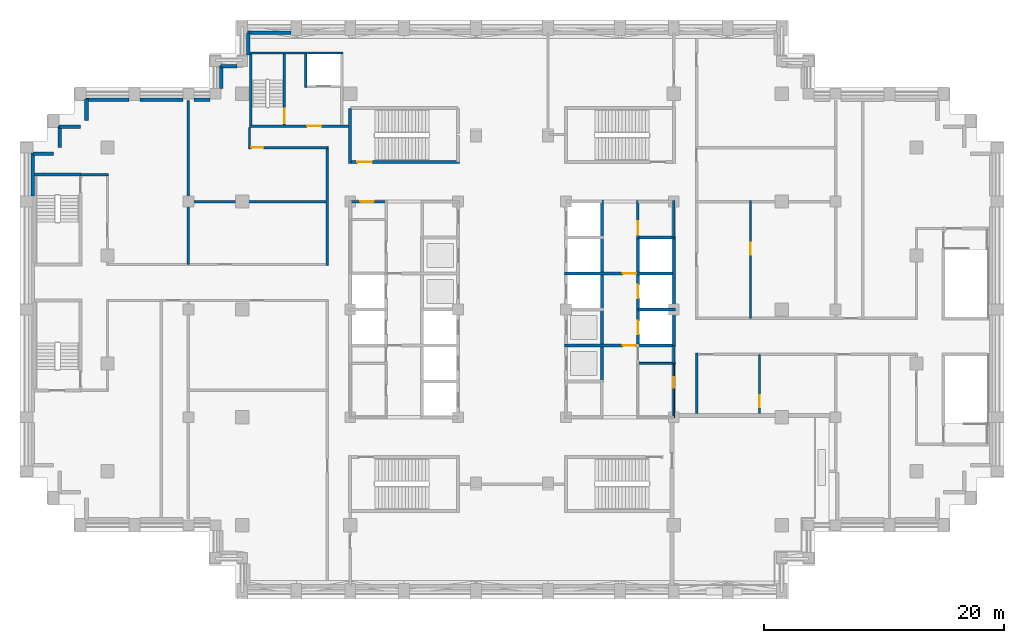
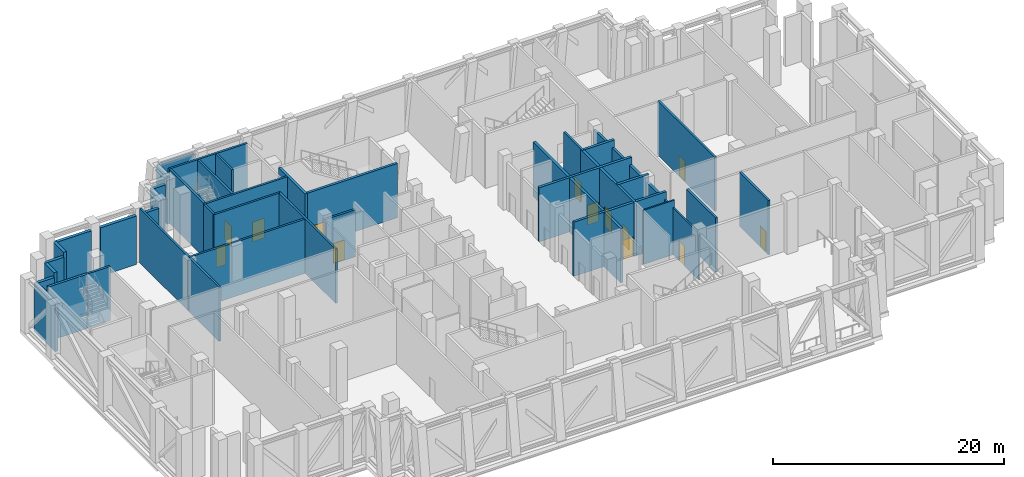
# One storey, part 7 of 14: 42 walls, 13 doors, 13 openings.
"""IFC4 building model written with IfcOpenShell, lengths in metres."""

from ifc_helpers import new_model, si_unit, direction, frame, frame_2d, origin, place, context, subcontext, project, spatial, rectangle, extrude, material, layer, layer_set, type_object, element, fill, save


model = new_model("IFC4")

# Units and contexts
model_context = context("Model", 3, precision=1e-05, world=origin(), true_north=direction((0.0, 1.0)))
body_context = subcontext(model_context, "Body", "Model", "MODEL_VIEW")
ifc_project = project(units=[si_unit("LENGTHUNIT", "METRE"), si_unit("AREAUNIT", "SQUARE_METRE"), si_unit("VOLUMEUNIT", "CUBIC_METRE"), si_unit("PLANEANGLEUNIT", "RADIAN"), si_unit("MASSUNIT", "GRAM", prefix="KILO")], contexts=[model_context])

# Site, building, storey
site_placement = place(None, origin())
site = spatial("IfcSite", under=ifc_project, at=site_placement, CompositionType="ELEMENT")
building_placement = place(site_placement, origin())
building = spatial("IfcBuilding", under=site, at=building_placement, Name="Corbelhall Arena Tower", CompositionType="ELEMENT")
storey_placement = place(building_placement, frame((0.0, 0.0, 178.0)))
storey = spatial("IfcBuildingStorey", under=building, at=storey_placement, Name="L36", CompositionType="ELEMENT", Elevation=178.0)

# Walls
ifc_material_1 = material(Name="Precast concrete C40/50 with granite facing", Category="masonry")
ifc_layer_1 = layer(ifc_material_1, 0.300048828125)
ifc_layer_set_1 = layer_set([ifc_layer_1], Name="EV-IW1 Infill panel 300")
wall_type_1 = type_object("IfcWallType", Name="EV-IW1 Infill panel 300", PredefinedType="SOLIDWALL", material=ifc_layer_set_1)
for number, where, z_axis, x_axis, name in (
    (1, (-35.5, 17.550048828125, 0.0), (0.0, 0.0, 1.0), (0.0, -1.0, 0.0), "Infill panel IW1"),
    (2, (-37.800048828125, 15.25, 0.0), (0.0, 0.0, 1.0), (1.0, 0.0, 0.0), "Infill panel IW1"),
    (3, (-37.75, 15.300048828125, 0.0), (0.0, 0.0, 1.0), (0.0, -1.0, 0.0), "Infill panel IW1"),
):
    element("IfcWall", number, at=place(storey_placement, frame(where, z_axis=z_axis, x_axis=x_axis)), inside=storey, type_object=wall_type_1, Name=name, PredefinedType="SOLIDWALL", context=body_context, shape_type="SweptSolid", body=[
        extrude(rectangle(XDim=1.800048828125, YDim=0.300048828125, at=frame_2d((0.89990234375, 0.0))), origin(), (0.0, 0.0, 1.0), 5.1201171875),
    ])
wall_1_placement = place(storey_placement, frame((-39.949951171875, 13.0, 0.0), z_axis=(0.0, 0.0, 1.0), x_axis=(1.0, 0.0, 0.0)))
element("IfcWall", 4, at=wall_1_placement, inside=storey, type_object=wall_type_1, Name="Infill panel IW1", PredefinedType="SOLIDWALL", context=body_context, shape_type="SweptSolid", body=[
    extrude(rectangle(XDim=1.699951171875, YDim=0.300048828125, at=frame_2d((0.85009765625, 0.0))), origin(), (0.0, 0.0, 1.0), 5.1201171875),
])
wall_2_placement = place(storey_placement, frame((-22.949951171875, 20.300048828125, 0.0), z_axis=(0.0, 0.0, 1.0), x_axis=(-1.0, 0.0, 0.0)))
element("IfcWall", 5, at=wall_2_placement, inside=storey, type_object=wall_type_1, Name="Infill panel IW1", PredefinedType="SOLIDWALL", context=body_context, shape_type="SweptSolid", body=[
    extrude(rectangle(XDim=1.35009765625, YDim=0.300048828125, at=frame_2d((0.675048828125, 0.0))), origin(), (0.0, 0.0, 1.0), 5.1201171875),
])
wall_3_placement = place(storey_placement, frame((-24.25, 20.35009765625, 0.0), z_axis=(0.0, 0.0, 1.0), x_axis=(0.0, -1.0, 0.0)))
element("IfcWall", 6, at=wall_3_placement, inside=storey, type_object=wall_type_1, Name="Infill panel IW1", PredefinedType="SOLIDWALL", context=body_context, shape_type="SweptSolid", body=[
    extrude(rectangle(XDim=1.900146484375, YDim=0.300048828125, at=frame_2d((0.9501953125, 0.0))), origin(), (0.0, 0.0, 1.0), 5.1201171875),
])
wall_4_placement = place(storey_placement, frame((-25.199951171875, 17.5, 0.0), z_axis=(0.0, 0.0, 1.0), x_axis=(-1.0, 0.0, 0.0)))
element("IfcWall", 7, at=wall_4_placement, inside=storey, type_object=wall_type_1, Name="Infill panel IW1", PredefinedType="SOLIDWALL", context=body_context, shape_type="SweptSolid", body=[
    extrude(rectangle(XDim=1.35009765625, YDim=0.300048828125, at=frame_2d((0.675048828125, 0.0))), origin(), (0.0, 0.0, 1.0), 5.1201171875),
])
for number, where, z_axis, x_axis, name in (
    (8, (-27.449951171875, 17.5, 0.0), (0.0, 0.0, 1.0), (-1.0, 0.0, 0.0), "Infill panel IW1"),
    (9, (-31.949951171875, 17.5, 0.0), (0.0, 0.0, 1.0), (-1.0, 0.0, 0.0), "Infill panel IW1"),
    (10, (-40.0, 13.050048828125, 0.0), (0.0, 0.0, 1.0), (0.0, -1.0, 0.0), "Infill panel IW1"),
    (11, (-18.449951171875, 23.10009765625, 0.0), (0.0, 0.0, 1.0), (-1.0, 0.0, 0.0), "Infill panel IW1"),
):
    element("IfcWall", number, at=place(storey_placement, frame(where, z_axis=z_axis, x_axis=x_axis)), inside=storey, type_object=wall_type_1, Name=name, PredefinedType="SOLIDWALL", context=body_context, shape_type="SweptSolid", body=[
        extrude(rectangle(XDim=3.60009765625, YDim=0.300048828125, at=frame_2d((1.800048828125, 0.0))), origin(), (0.0, 0.0, 1.0), 5.1201171875),
    ])
wall_5_placement = place(storey_placement, frame((-22.0, 23.050048828125, 0.0), z_axis=(0.0, 0.0, 1.0), x_axis=(0.0, -1.0, 0.0)))
element("IfcWall", 12, at=wall_5_placement, inside=storey, type_object=wall_type_1, Name="Infill panel IW1", PredefinedType="SOLIDWALL", context=body_context, shape_type="SweptSolid", body=[
    extrude(rectangle(XDim=1.800048828125, YDim=0.300048828125, at=frame_2d((0.89990234375, 0.0))), origin(), (0.0, 0.0, 1.0), 5.1201171875),
])
ifc_material_2 = material(Name="Gypsum board on steel stud, acoustic", Category="steel")
ifc_layer_2 = layer(ifc_material_2, 0.199951171875)
ifc_layer_set_2 = layer_set([ifc_layer_2], Name="IN-W-DM200")
wall_type_2 = type_object("IfcWallType", Name="IN-W-DM200", PredefinedType="PARTITIONING", material=ifc_layer_set_2)
wall_6_placement = place(storey_placement, frame((-36.0, 11.25, 0.0), z_axis=(0.0, 0.0, 1.0), x_axis=(1.0, 0.0, 0.0)))
element("IfcWall", 13, at=wall_6_placement, inside=storey, type_object=wall_type_2, Name="Partition 001", PredefinedType="PARTITIONING", context=body_context, shape_type="SweptSolid", body=[
    extrude(rectangle(XDim=2.35009765625, YDim=0.199951171875, at=frame_2d((1.175048828125, 0.0))), origin(), (0.0, 0.0, 1.0), 5.719970703125),
])
wall_7_placement = place(storey_placement, frame((-27.10009765625, 9.0, 0.0), z_axis=(0.0, 0.0, 1.0), x_axis=(1.0, 0.0, 0.0)))
element("IfcWall", 14, at=wall_7_placement, inside=storey, type_object=wall_type_2, Name="Partition 009", PredefinedType="PARTITIONING", context=body_context, shape_type="SweptSolid", body=[
    extrude(rectangle(XDim=11.7001953125, YDim=0.199951171875, at=frame_2d((5.85009765625, 0.0))), origin(), (0.0, 0.0, 1.0), 5.719970703125),
])
wall_8_placement = place(storey_placement, frame((-27.0, 3.75, 0.0), z_axis=(0.0, 0.0, 1.0), x_axis=(0.0, 1.0, 0.0)))
element("IfcWall", 15, at=wall_8_placement, inside=storey, type_object=wall_type_2, Name="Partition 011", PredefinedType="PARTITIONING", context=body_context, shape_type="SweptSolid", body=[
    extrude(rectangle(XDim=13.699951171875, YDim=0.199951171875, at=frame_2d((6.85009765625, 0.0))), origin(), (0.0, 0.0, 1.0), 5.719970703125),
])
wall_9_placement = place(storey_placement, frame((-21.89990234375, 13.5, 0.0), z_axis=(0.0, 0.0, 1.0), x_axis=(0.0, 1.0, 0.0)))
element("IfcWall", 16, at=wall_9_placement, inside=storey, type_object=wall_type_2, Name="Partition 012", PredefinedType="PARTITIONING", context=body_context, shape_type="SweptSolid", body=[
    extrude(rectangle(XDim=1.699951171875, YDim=0.199951171875, at=frame_2d((0.85009765625, 0.0))), origin(), (0.0, 0.0, 1.0), 5.719970703125),
])
wall_10_placement = place(storey_placement, frame((-15.39990234375, 3.64990234375, 0.0), z_axis=(0.0, 0.0, 1.0), x_axis=(0.0, 1.0, 0.0)))
element("IfcWall", 17, at=wall_10_placement, inside=storey, type_object=wall_type_2, Name="Partition 014", PredefinedType="PARTITIONING", context=body_context, shape_type="SweptSolid", body=[
    extrude(rectangle(XDim=9.9501953125, YDim=0.199951171875, at=frame_2d((4.97509765625, 0.0))), origin(), (0.0, 0.0, 1.0), 5.719970703125),
])

# Wall, opening, door
wall_11_placement = place(storey_placement, frame((-15.39990234375, 13.5, 0.0), z_axis=(0.0, 0.0, 1.0), x_axis=(-1.0, 0.0, 0.0)))
wall_11 = element("IfcWall", 18, at=wall_11_placement, inside=storey, type_object=wall_type_2, Name="Partition 015", PredefinedType="PARTITIONING", context=body_context, shape_type="SweptSolid", body=[
    extrude(rectangle(XDim=6.60009765625, YDim=0.199951171875, at=frame_2d((3.300048828125, 0.0))), origin(), (0.0, 0.0, 1.0), 5.719970703125),
])
opening_1_placement = place(wall_11_placement, frame((5.35009765625, 0.0, 0.0)))
opening_1 = element("IfcOpeningElement", 19, at=opening_1_placement, cuts=wall_11, Name="Opening 27023", PredefinedType="OPENING", context=body_context, shape_type="SweptSolid", body=[
    extrude(rectangle(XDim=1.0, YDim=2.10009765625, at=frame_2d((0.5, 1.050048828125))), frame((0.0, 0.10009765625, 0.0), z_axis=(0.0, -1.0, 0.0), x_axis=(1.0, 0.0, 0.0)), (0.0, 0.0, 1.0), 0.199951171875),
])
ifc_material_3 = material(Name="Steel door set", Category="steel")
door_type_1 = type_object("IfcDoorType", Name="IN-D-SW100", OperationType="NOTDEFINED", PredefinedType="DOOR", material=ifc_material_3)
door_1_placement = place(opening_1_placement, origin())
door_1 = element("IfcDoor", 20, at=door_1_placement, inside=storey, type_object=door_type_1, Name="Door 023", OperationType="SINGLE_SWING_RIGHT", OverallHeight=2.10009765625, OverallWidth=1.0, PredefinedType="DOOR", context=body_context, shape_type="SweptSolid", body=[
    extrude(rectangle(XDim=1.0, YDim=2.10009765625, at=frame_2d((0.5, 1.050048828125))), frame((0.0, 0.02490234375, 0.0), z_axis=(0.0, -1.0, 0.0), x_axis=(1.0, 0.0, 0.0)), (0.0, 0.0, 1.0), 0.050048828125),
])
fill(opening_1, door_1)

# Wall
wall_12_placement = place(storey_placement, frame((15.39990234375, -3.64990234375, 0.0), z_axis=(0.0, 0.0, 1.0), x_axis=(0.0, -1.0, 0.0)))
element("IfcWall", 21, at=wall_12_placement, inside=storey, type_object=wall_type_2, Name="Partition 021", PredefinedType="PARTITIONING", context=body_context, shape_type="SweptSolid", body=[
    extrude(rectangle(XDim=5.050048828125, YDim=0.199951171875, at=frame_2d((2.52490234375, 0.0))), origin(), (0.0, 0.0, 1.0), 5.719970703125),
])

# Wall, opening, door
wall_13_placement = place(storey_placement, frame((19.89990234375, 9.10009765625, 0.0), z_axis=(0.0, 0.0, 1.0), x_axis=(0.0, -1.0, 0.0)))
wall_13 = element("IfcWall", 22, at=wall_13_placement, inside=storey, type_object=wall_type_2, Name="Partition 026", PredefinedType="PARTITIONING", context=body_context, shape_type="SweptSolid", body=[
    extrude(rectangle(XDim=9.85009765625, YDim=0.199951171875, at=frame_2d((4.925048828125, 0.0))), origin(), (0.0, 0.0, 1.0), 5.719970703125),
])
opening_2_placement = place(wall_13_placement, frame((3.550048828125, 0.0, 0.0)))
opening_2 = element("IfcOpeningElement", 23, at=opening_2_placement, cuts=wall_13, Name="Opening 27027", PredefinedType="OPENING", context=body_context, shape_type="SweptSolid", body=[
    extrude(rectangle(XDim=1.0, YDim=2.10009765625, at=frame_2d((0.5, 1.050048828125))), frame((0.0, 0.10009765625, 0.0), z_axis=(0.0, -1.0, 0.0), x_axis=(1.0, 0.0, 0.0)), (0.0, 0.0, 1.0), 0.199951171875),
])
door_2_placement = place(opening_2_placement, origin())
door_2 = element("IfcDoor", 24, at=door_2_placement, inside=storey, type_object=door_type_1, Name="Door 027", OperationType="SINGLE_SWING_RIGHT", OverallHeight=2.10009765625, OverallWidth=1.0, PredefinedType="DOOR", context=body_context, shape_type="SweptSolid", body=[
    extrude(rectangle(XDim=1.0, YDim=2.10009765625, at=frame_2d((0.5, 1.050048828125))), frame((0.0, 0.02490234375, 0.0), z_axis=(0.0, -1.0, 0.0), x_axis=(1.0, 0.0, 0.0)), (0.0, 0.0, 1.0), 0.050048828125),
])
fill(opening_2, door_2)

wall_14_placement = place(storey_placement, frame((20.64990234375, -3.75, 0.0), z_axis=(0.0, 0.0, 1.0), x_axis=(0.0, -1.0, 0.0)))
wall_14 = element("IfcWall", 25, at=wall_14_placement, inside=storey, type_object=wall_type_2, Name="Partition 027", PredefinedType="PARTITIONING", context=body_context, shape_type="SweptSolid", body=[
    extrude(rectangle(XDim=4.949951171875, YDim=0.199951171875, at=frame_2d((2.47509765625, 0.0))), origin(), (0.0, 0.0, 1.0), 5.719970703125),
])
opening_3_placement = place(wall_14_placement, frame((3.39990234375, 0.0, 0.0)))
opening_3 = element("IfcOpeningElement", 26, at=opening_3_placement, cuts=wall_14, Name="Opening 27031", PredefinedType="OPENING", context=body_context, shape_type="SweptSolid", body=[
    extrude(rectangle(XDim=1.0, YDim=2.10009765625, at=frame_2d((0.5, 1.050048828125))), frame((0.0, 0.10009765625, 0.0), z_axis=(0.0, -1.0, 0.0), x_axis=(1.0, 0.0, 0.0)), (0.0, 0.0, 1.0), 0.199951171875),
])
door_3_placement = place(opening_3_placement, origin())
door_3 = element("IfcDoor", 27, at=door_3_placement, inside=storey, type_object=door_type_1, Name="Door 031", OperationType="SINGLE_SWING_RIGHT", OverallHeight=2.10009765625, OverallWidth=1.0, PredefinedType="DOOR", context=body_context, shape_type="SweptSolid", body=[
    extrude(rectangle(XDim=1.0, YDim=2.10009765625, at=frame_2d((0.5, 1.050048828125))), frame((0.0, 0.02490234375, 0.0), z_axis=(0.0, -1.0, 0.0), x_axis=(1.0, 0.0, 0.0)), (0.0, 0.0, 1.0), 0.050048828125),
])
fill(opening_3, door_3)

ifc_material_4 = material(Name="Concrete C40/50", Category="concrete")
ifc_layer_3 = layer(ifc_material_4, 0.199951171875)
ifc_layer_set_3 = layer_set([ifc_layer_3], Name="IN-W-EAR200")
wall_type_3 = type_object("IfcWallType", Name="IN-W-EAR200", PredefinedType="SOLIDWALL", material=ifc_layer_set_3)
wall_15_placement = place(storey_placement, frame((-21.89990234375, 15.300048828125, 0.0), z_axis=(0.0, 0.0, 1.0), x_axis=(1.0, 0.0, 0.0)))
wall_15 = element("IfcWall", 28, at=wall_15_placement, inside=storey, type_object=wall_type_3, Name="Fire service turret wall south", PredefinedType="SOLIDWALL", context=body_context, shape_type="SweptSolid", body=[
    extrude(rectangle(XDim=8.27490234375, YDim=0.199951171875, at=frame_2d((4.137451171875, 0.0))), origin(), (0.0, 0.0, 1.0), 5.719970703125),
])
opening_4_placement = place(wall_15_placement, frame((4.800048828125, 0.0, 0.0)))
opening_4 = element("IfcOpeningElement", 29, at=opening_4_placement, cuts=wall_15, Name="Opening E272", PredefinedType="OPENING", context=body_context, shape_type="SweptSolid", body=[
    extrude(rectangle(XDim=1.199951171875, YDim=2.10009765625, at=frame_2d((0.60009765625, 1.050048828125))), frame((0.0, 0.10009765625, 0.0), z_axis=(0.0, -1.0, 0.0), x_axis=(1.0, 0.0, 0.0)), (0.0, 0.0, 1.0), 0.199951171875),
])
door_type_2 = type_object("IfcDoorType", Name="IN-D-ST120", OperationType="NOTDEFINED", PredefinedType="DOOR", material=ifc_material_3)
door_4_placement = place(opening_4_placement, origin())
door_4 = element("IfcDoor", 30, at=door_4_placement, inside=storey, type_object=door_type_2, Name="Door from fire service lift lobby to circulation", OperationType="SINGLE_SWING_RIGHT", OverallHeight=2.10009765625, OverallWidth=1.199951171875, PredefinedType="DOOR", context=body_context, shape_type="SweptSolid", body=[
    extrude(rectangle(XDim=1.199951171875, YDim=2.10009765625, at=frame_2d((0.60009765625, 1.050048828125))), frame((0.0, 0.02490234375, 0.0), z_axis=(0.0, -1.0, 0.0), x_axis=(1.0, 0.0, 0.0)), (0.0, 0.0, 1.0), 0.050048828125),
])
fill(opening_4, door_4)

# Walls
wall_16_placement = place(storey_placement, frame((-21.89990234375, 21.39990234375, 0.0), z_axis=(0.0, 0.0, 1.0), x_axis=(1.0, 0.0, 0.0)))
element("IfcWall", 31, at=wall_16_placement, inside=storey, type_object=wall_type_3, Name="Fire service turret wall north", PredefinedType="SOLIDWALL", context=body_context, shape_type="SweptSolid", body=[
    extrude(rectangle(XDim=7.7998046875, YDim=0.199951171875, at=frame_2d((3.89990234375, 0.0))), origin(), (0.0, 0.0, 1.0), 5.719970703125),
])
wall_17_placement = place(storey_placement, frame((-21.800048828125, 15.39990234375, 0.0), z_axis=(0.0, 0.0, 1.0), x_axis=(0.0, 1.0, 0.0)))
element("IfcWall", 32, at=wall_17_placement, inside=storey, type_object=wall_type_3, Name="Fire service turret wall west", PredefinedType="SOLIDWALL", context=body_context, shape_type="SweptSolid", body=[
    extrude(rectangle(XDim=5.900146484375, YDim=0.199951171875, at=frame_2d((2.9501953125, 0.0))), origin(), (0.0, 0.0, 1.0), 5.719970703125),
])

# Wall, opening, door
wall_18_placement = place(storey_placement, frame((-18.989990234375, 15.39990234375, 0.0), z_axis=(0.0, 0.0, 1.0), x_axis=(0.0, 1.0, 0.0)))
wall_18 = element("IfcWall", 33, at=wall_18_placement, inside=storey, type_object=wall_type_3, Name="Fire service turret wall stair", PredefinedType="SOLIDWALL", context=body_context, shape_type="SweptSolid", body=[
    extrude(rectangle(XDim=5.900146484375, YDim=0.199951171875, at=frame_2d((2.9501953125, 0.0))), origin(), (0.0, 0.0, 1.0), 5.719970703125),
])
opening_5_placement = place(wall_18_placement, frame((0.14990234375, 0.0, 0.0)))
opening_5 = element("IfcOpeningElement", 34, at=opening_5_placement, cuts=wall_18, Name="Opening E271", PredefinedType="OPENING", context=body_context, shape_type="SweptSolid", body=[
    extrude(rectangle(XDim=1.199951171875, YDim=2.10009765625, at=frame_2d((0.60009765625, 1.050048828125))), frame((0.0, 0.10009765625, 0.0), z_axis=(0.0, -1.0, 0.0), x_axis=(1.0, 0.0, 0.0)), (0.0, 0.0, 1.0), 0.199951171875),
])
door_5_placement = place(opening_5_placement, origin())
door_5 = element("IfcDoor", 35, at=door_5_placement, inside=storey, type_object=door_type_2, Name="Stair door to fire service lobby", OperationType="SINGLE_SWING_LEFT", OverallHeight=2.10009765625, OverallWidth=1.199951171875, PredefinedType="DOOR", context=body_context, shape_type="SweptSolid", body=[
    extrude(rectangle(XDim=1.199951171875, YDim=2.10009765625, at=frame_2d((0.60009765625, 1.050048828125))), frame((0.0, 0.02490234375, 0.0), z_axis=(0.0, -1.0, 0.0), x_axis=(1.0, 0.0, 0.0)), (0.0, 0.0, 1.0), 0.050048828125),
])
fill(opening_5, door_5)

# Wall
wall_19_placement = place(storey_placement, frame((-17.199951171875, 18.5, 0.0), z_axis=(0.0, 0.0, 1.0), x_axis=(0.0, 1.0, 0.0)))
element("IfcWall", 36, at=wall_19_placement, inside=storey, type_object=wall_type_3, Name="Fire service turret wall hoistway west", PredefinedType="SOLIDWALL", context=body_context, shape_type="SweptSolid", body=[
    extrude(rectangle(XDim=2.800048828125, YDim=0.199951171875, at=frame_2d((1.39990234375, 0.0))), origin(), (0.0, 0.0, 1.0), 5.719970703125),
])

# Wall, opening, door
ifc_material_5 = material(Name="Concrete block wall", Category="concrete")
ifc_layer_4 = layer(ifc_material_5, 0.199951171875)
ifc_layer_set_4 = layer_set([ifc_layer_4], Name="IN-W-RS200")
wall_type_4 = type_object("IfcWallType", Name="IN-W-RS200", PredefinedType="SOLIDWALL", material=ifc_layer_set_4)
wall_20_placement = place(storey_placement, frame((10.5, 9.10009765625, 0.0), z_axis=(0.0, 0.0, 1.0), x_axis=(0.0, -1.0, 0.0)))
wall_20 = element("IfcWall", 37, at=wall_20_placement, inside=storey, type_object=wall_type_4, Name="Partition 051", PredefinedType="SOLIDWALL", context=body_context, shape_type="SweptSolid", body=[
    extrude(rectangle(XDim=3.22509765625, YDim=0.199951171875, at=frame_2d((1.612548828125, 0.0))), origin(), (0.0, 0.0, 1.0), 5.719970703125),
])
opening_6_placement = place(wall_20_placement, frame((1.75, 0.0, 0.0)))
opening_6 = element("IfcOpeningElement", 38, at=opening_6_placement, cuts=wall_20, Name="Opening 27011", PredefinedType="OPENING", context=body_context, shape_type="SweptSolid", body=[
    extrude(rectangle(XDim=1.10009765625, YDim=2.10009765625, at=frame_2d((0.550048828125, 1.050048828125))), frame((0.0, 0.10009765625, 0.0), z_axis=(0.0, -1.0, 0.0), x_axis=(1.0, 0.0, 0.0)), (0.0, 0.0, 1.0), 0.199951171875),
])
door_type_3 = type_object("IfcDoorType", Name="IN-D-FD110", OperationType="NOTDEFINED", PredefinedType="DOOR", material=ifc_material_3)
door_6_placement = place(opening_6_placement, origin())
door_6 = element("IfcDoor", 39, at=door_6_placement, inside=storey, type_object=door_type_3, Name="Door 011", OperationType="SINGLE_SWING_RIGHT", OverallHeight=2.10009765625, OverallWidth=1.10009765625, PredefinedType="DOOR", context=body_context, shape_type="SweptSolid", body=[
    extrude(rectangle(XDim=1.10009765625, YDim=2.10009765625, at=frame_2d((0.550048828125, 1.050048828125))), frame((0.0, 0.02490234375, 0.0), z_axis=(0.0, -1.0, 0.0), x_axis=(1.0, 0.0, 0.0)), (0.0, 0.0, 1.0), 0.050048828125),
])
fill(opening_6, door_6)

ifc_layer_5 = layer(ifc_material_5, 0.199951171875)
ifc_layer_set_5 = layer_set([ifc_layer_5], Name="IN-W-RS200 under beam 762 mm")
wall_type_5 = type_object("IfcWallType", Name="IN-W-RS200 under beam 762 mm", PredefinedType="SOLIDWALL", material=ifc_layer_set_5)
wall_21_placement = place(storey_placement, frame((-13.5, 9.0, 0.0), z_axis=(0.0, 0.0, 1.0), x_axis=(1.0, 0.0, 0.0)))
wall_21 = element("IfcWall", 40, at=wall_21_placement, inside=storey, type_object=wall_type_5, Name="Partition 040", PredefinedType="SOLIDWALL", context=body_context, shape_type="SweptSolid", body=[
    extrude(rectangle(XDim=3.0, YDim=0.199951171875, at=frame_2d((1.5, 0.0))), origin(), (0.0, 0.0, 1.0), 4.9580078125),
])
opening_7_placement = place(wall_21_placement, frame((0.85009765625, 0.0, 0.0)))
opening_7 = element("IfcOpeningElement", 41, at=opening_7_placement, cuts=wall_21, Name="Opening 27006", PredefinedType="OPENING", context=body_context, shape_type="SweptSolid", body=[
    extrude(rectangle(XDim=1.10009765625, YDim=2.10009765625, at=frame_2d((0.550048828125, 1.050048828125))), frame((0.0, 0.10009765625, 0.0), z_axis=(0.0, -1.0, 0.0), x_axis=(1.0, 0.0, 0.0)), (0.0, 0.0, 1.0), 0.199951171875),
])
door_7_placement = place(opening_7_placement, origin())
door_7 = element("IfcDoor", 42, at=door_7_placement, inside=storey, type_object=door_type_3, Name="Door 006", OperationType="SINGLE_SWING_LEFT", OverallHeight=2.10009765625, OverallWidth=1.10009765625, PredefinedType="DOOR", context=body_context, shape_type="SweptSolid", body=[
    extrude(rectangle(XDim=1.10009765625, YDim=2.10009765625, at=frame_2d((0.550048828125, 1.050048828125))), frame((0.0, 0.02490234375, 0.0), z_axis=(0.0, -1.0, 0.0), x_axis=(1.0, 0.0, 0.0)), (0.0, 0.0, 1.0), 0.050048828125),
])
fill(opening_7, door_7)

# Walls
wall_22_placement = place(storey_placement, frame((13.5, -3.0, 0.0), z_axis=(0.0, 0.0, 1.0), x_axis=(0.0, -1.0, 0.0)))
element("IfcWall", 43, at=wall_22_placement, inside=storey, type_object=wall_type_5, Name="Partition 052", PredefinedType="SOLIDWALL", context=body_context, shape_type="SweptSolid", body=[
    extrude(rectangle(XDim=1.5, YDim=0.199951171875, at=frame_2d((0.75, 0.0))), origin(), (0.0, 0.0, 1.0), 4.9580078125),
])
wall_23_placement = place(storey_placement, frame((13.5, 9.10009765625, 0.0), z_axis=(0.0, 0.0, 1.0), x_axis=(0.0, -1.0, 0.0)))
element("IfcWall", 44, at=wall_23_placement, inside=storey, type_object=wall_type_5, Name="Partition 053", PredefinedType="SOLIDWALL", context=body_context, shape_type="SweptSolid", body=[
    extrude(rectangle(XDim=3.10009765625, YDim=0.199951171875, at=frame_2d((1.550048828125, 0.0))), origin(), (0.0, 0.0, 1.0), 4.9580078125),
])

# Wall, opening, door
ifc_layer_6 = layer(ifc_material_4, 0.25)
ifc_layer_set_6 = layer_set([ifc_layer_6], Name="IN-W-SH250")
wall_type_6 = type_object("IfcWallType", Name="IN-W-SH250", PredefinedType="SOLIDWALL", material=ifc_layer_set_6)
wall_24_placement = place(storey_placement, frame((4.375, -3.0, 0.0), z_axis=(0.0, 0.0, 1.0), x_axis=(1.0, 0.0, 0.0)))
wall_24 = element("IfcWall", 45, at=wall_24_placement, inside=storey, type_object=wall_type_6, Name="Shaft wall 066", PredefinedType="SOLIDWALL", context=body_context, shape_type="SweptSolid", body=[
    extrude(rectangle(XDim=9.25, YDim=0.25, at=frame_2d((4.625, 0.0))), origin(), (0.0, 0.0, 1.0), 5.719970703125),
])
opening_8_placement = place(wall_24_placement, frame((4.875, 0.0, 0.0)))
opening_8 = element("IfcOpeningElement", 46, at=opening_8_placement, cuts=wall_24, Name="Opening 27008", PredefinedType="OPENING", context=body_context, shape_type="SweptSolid", body=[
    extrude(rectangle(XDim=1.10009765625, YDim=2.10009765625, at=frame_2d((0.550048828125, 1.050048828125))), frame((0.0, 0.125, 0.0), z_axis=(0.0, -1.0, 0.0), x_axis=(1.0, 0.0, 0.0)), (0.0, 0.0, 1.0), 0.25),
])
door_8_placement = place(opening_8_placement, origin())
door_8 = element("IfcDoor", 47, at=door_8_placement, inside=storey, type_object=door_type_3, Name="Door 008", OperationType="SINGLE_SWING_LEFT", OverallHeight=2.10009765625, OverallWidth=1.10009765625, PredefinedType="DOOR", context=body_context, shape_type="SweptSolid", body=[
    extrude(rectangle(XDim=1.10009765625, YDim=2.10009765625, at=frame_2d((0.550048828125, 1.050048828125))), frame((0.0, 0.02490234375, 0.0), z_axis=(0.0, -1.0, 0.0), x_axis=(1.0, 0.0, 0.0)), (0.0, 0.0, 1.0), 0.050048828125),
])
fill(opening_8, door_8)

wall_25_placement = place(storey_placement, frame((4.375, 3.0, 0.0), z_axis=(0.0, 0.0, 1.0), x_axis=(1.0, 0.0, 0.0)))
wall_25 = element("IfcWall", 48, at=wall_25_placement, inside=storey, type_object=wall_type_6, Name="Shaft wall 068", PredefinedType="SOLIDWALL", context=body_context, shape_type="SweptSolid", body=[
    extrude(rectangle(XDim=9.25, YDim=0.25, at=frame_2d((4.625, 0.0))), origin(), (0.0, 0.0, 1.0), 5.719970703125),
])
opening_9_placement = place(wall_25_placement, frame((4.875, 0.0, 0.0)))
opening_9 = element("IfcOpeningElement", 49, at=opening_9_placement, cuts=wall_25, Name="Opening 27009", PredefinedType="OPENING", context=body_context, shape_type="SweptSolid", body=[
    extrude(rectangle(XDim=1.10009765625, YDim=2.10009765625, at=frame_2d((0.550048828125, 1.050048828125))), frame((0.0, 0.125, 0.0), z_axis=(0.0, -1.0, 0.0), x_axis=(1.0, 0.0, 0.0)), (0.0, 0.0, 1.0), 0.25),
])
door_9_placement = place(opening_9_placement, origin())
door_9 = element("IfcDoor", 50, at=door_9_placement, inside=storey, type_object=door_type_3, Name="Door 009", OperationType="SINGLE_SWING_RIGHT", OverallHeight=2.10009765625, OverallWidth=1.10009765625, PredefinedType="DOOR", context=body_context, shape_type="SweptSolid", body=[
    extrude(rectangle(XDim=1.10009765625, YDim=2.10009765625, at=frame_2d((0.550048828125, 1.050048828125))), frame((0.0, 0.02490234375, 0.0), z_axis=(0.0, -1.0, 0.0), x_axis=(1.0, 0.0, 0.0)), (0.0, 0.0, 1.0), 0.050048828125),
])
fill(opening_9, door_9)

# Walls
wall_26_placement = place(storey_placement, frame((7.5, 9.125, 0.0), z_axis=(0.0, 0.0, 1.0), x_axis=(0.0, -1.0, 0.0)))
element("IfcWall", 51, at=wall_26_placement, inside=storey, type_object=wall_type_6, Name="Shaft wall 072", PredefinedType="SOLIDWALL", context=body_context, shape_type="SweptSolid", body=[
    extrude(rectangle(XDim=15.125, YDim=0.25, at=frame_2d((7.5625, 0.0))), origin(), (0.0, 0.0, 1.0), 5.719970703125),
])
wall_27_placement = place(storey_placement, frame((10.5, 0.0, 0.0), z_axis=(0.0, 0.0, 1.0), x_axis=(1.0, 0.0, 0.0)))
element("IfcWall", 52, at=wall_27_placement, inside=storey, type_object=wall_type_6, Name="Shaft wall 073", PredefinedType="SOLIDWALL", context=body_context, shape_type="SweptSolid", body=[
    extrude(rectangle(XDim=3.125, YDim=0.25, at=frame_2d((1.5625, 0.0))), origin(), (0.0, 0.0, 1.0), 5.719970703125),
])

# Wall, openings, doors
wall_28_placement = place(storey_placement, frame((10.5, 6.125, 0.0), z_axis=(0.0, 0.0, 1.0), x_axis=(0.0, -1.0, 0.0)))
wall_28 = element("IfcWall", 53, at=wall_28_placement, inside=storey, type_object=wall_type_6, Name="Shaft wall 074", PredefinedType="SOLIDWALL", context=body_context, shape_type="SweptSolid", body=[
    extrude(rectangle(XDim=9.25, YDim=0.25, at=frame_2d((4.625, 0.0))), origin(), (0.0, 0.0, 1.0), 5.719970703125),
])
opening_10_placement = place(wall_28_placement, frame((7.074951171875, 0.0, 0.0)))
opening_10 = element("IfcOpeningElement", 54, at=opening_10_placement, cuts=wall_28, Name="Opening LD", PredefinedType="OPENING", context=body_context, shape_type="SweptSolid", body=[
    extrude(rectangle(XDim=1.10009765625, YDim=2.10009765625, at=frame_2d((0.550048828125, 1.050048828125))), frame((0.0, 0.125, 0.0), z_axis=(0.0, -1.0, 0.0), x_axis=(1.0, 0.0, 0.0)), (0.0, 0.0, 1.0), 0.25),
])
opening_11_placement = place(wall_28_placement, frame((4.074951171875, 0.0, 0.0)))
opening_11 = element("IfcOpeningElement", 55, at=opening_11_placement, cuts=wall_28, Name="Opening LD", PredefinedType="OPENING", context=body_context, shape_type="SweptSolid", body=[
    extrude(rectangle(XDim=1.10009765625, YDim=2.10009765625, at=frame_2d((0.550048828125, 1.050048828125))), frame((0.0, 0.125, 0.0), z_axis=(0.0, -1.0, 0.0), x_axis=(1.0, 0.0, 0.0)), (0.0, 0.0, 1.0), 0.25),
])
door_type_4 = type_object("IfcDoorType", Name="IN-D-LD110", OperationType="NOTDEFINED", PredefinedType="DOOR", material=ifc_material_3)
door_10_placement = place(opening_10_placement, origin())
door_10 = element("IfcDoor", 56, at=door_10_placement, inside=storey, type_object=door_type_4, Name="Landing door E3", OperationType="SLIDING_TO_LEFT", OverallHeight=2.10009765625, OverallWidth=1.10009765625, PredefinedType="DOOR", context=body_context, shape_type="SweptSolid", body=[
    extrude(rectangle(XDim=1.10009765625, YDim=2.10009765625, at=frame_2d((0.550048828125, 1.050048828125))), frame((0.0, 0.02490234375, 0.0), z_axis=(0.0, -1.0, 0.0), x_axis=(1.0, 0.0, 0.0)), (0.0, 0.0, 1.0), 0.050048828125),
])
fill(opening_10, door_10)
door_11_placement = place(opening_11_placement, origin())
door_11 = element("IfcDoor", 57, at=door_11_placement, inside=storey, type_object=door_type_4, Name="Landing door E4", OperationType="SLIDING_TO_LEFT", OverallHeight=2.10009765625, OverallWidth=1.10009765625, PredefinedType="DOOR", context=body_context, shape_type="SweptSolid", body=[
    extrude(rectangle(XDim=1.10009765625, YDim=2.10009765625, at=frame_2d((0.550048828125, 1.050048828125))), frame((0.0, 0.02490234375, 0.0), z_axis=(0.0, -1.0, 0.0), x_axis=(1.0, 0.0, 0.0)), (0.0, 0.0, 1.0), 0.050048828125),
])
fill(opening_11, door_11)

# Walls
wall_29_placement = place(storey_placement, frame((10.5, 6.0, 0.0), z_axis=(0.0, 0.0, 1.0), x_axis=(1.0, 0.0, 0.0)))
element("IfcWall", 58, at=wall_29_placement, inside=storey, type_object=wall_type_6, Name="Shaft wall 075", PredefinedType="SOLIDWALL", context=body_context, shape_type="SweptSolid", body=[
    extrude(rectangle(XDim=3.125, YDim=0.25, at=frame_2d((1.5625, 0.0))), origin(), (0.0, 0.0, 1.0), 5.719970703125),
])
ifc_layer_7 = layer(ifc_material_4, 0.25)
ifc_layer_set_7 = layer_set([ifc_layer_7], Name="IN-W-SH250 under beam 762 mm")
wall_type_7 = type_object("IfcWallType", Name="IN-W-SH250 under beam 762 mm", PredefinedType="SOLIDWALL", material=ifc_layer_set_7)
wall_30_placement = place(storey_placement, frame((13.5, 6.0, 0.0), z_axis=(0.0, 0.0, 1.0), x_axis=(0.0, -1.0, 0.0)))
element("IfcWall", 59, at=wall_30_placement, inside=storey, type_object=wall_type_7, Name="Shaft wall 076", PredefinedType="SOLIDWALL", context=body_context, shape_type="SweptSolid", body=[
    extrude(rectangle(XDim=9.0, YDim=0.25, at=frame_2d((4.5, 0.0))), origin(), (0.0, 0.0, 1.0), 4.9580078125),
])
ifc_layer_8 = layer(ifc_material_4, 0.25)
ifc_layer_set_8 = layer_set([ifc_layer_8], Name="IN-W-ST250")
wall_type_8 = type_object("IfcWallType", Name="IN-W-ST250", PredefinedType="SOLIDWALL", material=ifc_layer_set_8)
wall_31_placement = place(storey_placement, frame((-39.85009765625, 11.25, 0.0), z_axis=(0.0, 0.0, 1.0), x_axis=(1.0, 0.0, 0.0)))
element("IfcWall", 60, at=wall_31_placement, inside=storey, type_object=wall_type_8, Name="Shaft wall 078", PredefinedType="SOLIDWALL", context=body_context, shape_type="SweptSolid", body=[
    extrude(rectangle(XDim=3.85009765625, YDim=0.25, at=frame_2d((1.925048828125, 0.0))), origin(), (0.0, 0.0, 1.0), 5.719970703125),
])

# Wall, opening, door
wall_32_placement = place(storey_placement, frame((-13.5, 12.300048828125, 0.0), z_axis=(0.0, 0.0, 1.0), x_axis=(1.0, 0.0, 0.0)))
wall_32 = element("IfcWall", 61, at=wall_32_placement, inside=storey, type_object=wall_type_8, Name="Shaft wall 084", PredefinedType="SOLIDWALL", context=body_context, shape_type="SweptSolid", body=[
    extrude(rectangle(XDim=9.125, YDim=0.25, at=frame_2d((4.5625, 0.0))), origin(), (0.0, 0.0, 1.0), 5.719970703125),
])
opening_12_placement = place(wall_32_placement, frame((0.60009765625, 0.0, 0.0)))
opening_12 = element("IfcOpeningElement", 62, at=opening_12_placement, cuts=wall_32, Name="Opening 27012", PredefinedType="OPENING", context=body_context, shape_type="SweptSolid", body=[
    extrude(rectangle(XDim=1.199951171875, YDim=2.10009765625, at=frame_2d((0.60009765625, 1.050048828125))), frame((0.0, 0.125, 0.0), z_axis=(0.0, -1.0, 0.0), x_axis=(1.0, 0.0, 0.0)), (0.0, 0.0, 1.0), 0.25),
])
door_12_placement = place(opening_12_placement, origin())
door_12 = element("IfcDoor", 63, at=door_12_placement, inside=storey, type_object=door_type_2, Name="Door 012", OperationType="SINGLE_SWING_LEFT", OverallHeight=2.10009765625, OverallWidth=1.199951171875, PredefinedType="DOOR", context=body_context, shape_type="SweptSolid", body=[
    extrude(rectangle(XDim=1.199951171875, YDim=2.10009765625, at=frame_2d((0.60009765625, 1.050048828125))), frame((0.0, 0.02490234375, 0.0), z_axis=(0.0, -1.0, 0.0), x_axis=(1.0, 0.0, 0.0)), (0.0, 0.0, 1.0), 0.050048828125),
])
fill(opening_12, door_12)

# Walls
wall_33_placement = place(storey_placement, frame((-13.5, 16.780029296875, 0.0), z_axis=(0.0, 0.0, 1.0), x_axis=(0.0, -1.0, 0.0)))
element("IfcWall", 64, at=wall_33_placement, inside=storey, type_object=wall_type_8, Name="Shaft wall 085", PredefinedType="SOLIDWALL", context=body_context, shape_type="SweptSolid", body=[
    extrude(rectangle(XDim=4.60498046875, YDim=0.25, at=frame_2d((2.302490234375, 0.0))), origin(), (0.0, 0.0, 1.0), 5.719970703125),
])
ifc_material_6 = material(Name="Gypsum board on steel stud, moisture resistant", Category="steel")
ifc_layer_9 = layer(ifc_material_6, 0.14990234375)
ifc_layer_set_9 = layer_set([ifc_layer_9], Name="IN-W-WC150")
wall_type_9 = type_object("IfcWallType", Name="IN-W-WC150", PredefinedType="PARTITIONING", material=ifc_layer_set_9)
wall_34_placement = place(storey_placement, frame((10.5, -4.5, 0.0), z_axis=(0.0, 0.0, 1.0), x_axis=(1.0, 0.0, 0.0)))
element("IfcWall", 65, at=wall_34_placement, inside=storey, type_object=wall_type_9, Name="Partition 112", PredefinedType="PARTITIONING", context=body_context, shape_type="SweptSolid", body=[
    extrude(rectangle(XDim=3.10009765625, YDim=0.14990234375, at=frame_2d((1.550048828125, 0.0))), origin(), (0.0, 0.0, 1.0), 5.719970703125),
])

# Wall, opening, door
ifc_layer_10 = layer(ifc_material_6, 0.14990234375)
ifc_layer_set_10 = layer_set([ifc_layer_10], Name="IN-W-WC150 under beam 762 mm")
wall_type_10 = type_object("IfcWallType", Name="IN-W-WC150 under beam 762 mm", PredefinedType="PARTITIONING", material=ifc_layer_set_10)
wall_35_placement = place(storey_placement, frame((13.5, -4.5, 0.0), z_axis=(0.0, 0.0, 1.0), x_axis=(0.0, -1.0, 0.0)))
wall_35 = element("IfcWall", 66, at=wall_35_placement, inside=storey, type_object=wall_type_10, Name="Partition 115", PredefinedType="PARTITIONING", context=body_context, shape_type="SweptSolid", body=[
    extrude(rectangle(XDim=4.52490234375, YDim=0.14990234375, at=frame_2d((2.262451171875, 0.0))), origin(), (0.0, 0.0, 1.0), 4.9580078125),
])
opening_13_placement = place(wall_35_placement, frame((1.14990234375, 0.0, 0.0)))
opening_13 = element("IfcOpeningElement", 67, at=opening_13_placement, cuts=wall_35, Name="Opening 27010", PredefinedType="OPENING", context=body_context, shape_type="SweptSolid", body=[
    extrude(rectangle(XDim=0.89990234375, YDim=2.10009765625, at=frame_2d((0.449951171875, 1.050048828125))), frame((0.0, 0.074951171875, 0.0), z_axis=(0.0, -1.0, 0.0), x_axis=(1.0, 0.0, 0.0)), (0.0, 0.0, 1.0), 0.14990234375),
])
ifc_material_7 = material(Name="Timber door set", Category="wood")
door_type_5 = type_object("IfcDoorType", Name="IN-D-SW90", OperationType="NOTDEFINED", PredefinedType="DOOR", material=ifc_material_7)
door_13_placement = place(opening_13_placement, origin())
door_13 = element("IfcDoor", 68, at=door_13_placement, inside=storey, type_object=door_type_5, Name="Door 010", OperationType="SINGLE_SWING_LEFT", OverallHeight=2.10009765625, OverallWidth=0.89990234375, PredefinedType="DOOR", context=body_context, shape_type="SweptSolid", body=[
    extrude(rectangle(XDim=0.89990234375, YDim=2.10009765625, at=frame_2d((0.449951171875, 1.050048828125))), frame((0.0, 0.02490234375, 0.0), z_axis=(0.0, -1.0, 0.0), x_axis=(1.0, 0.0, 0.0)), (0.0, 0.0, 1.0), 0.050048828125),
])
fill(opening_13, door_13)

save(model, "model.ifc")
